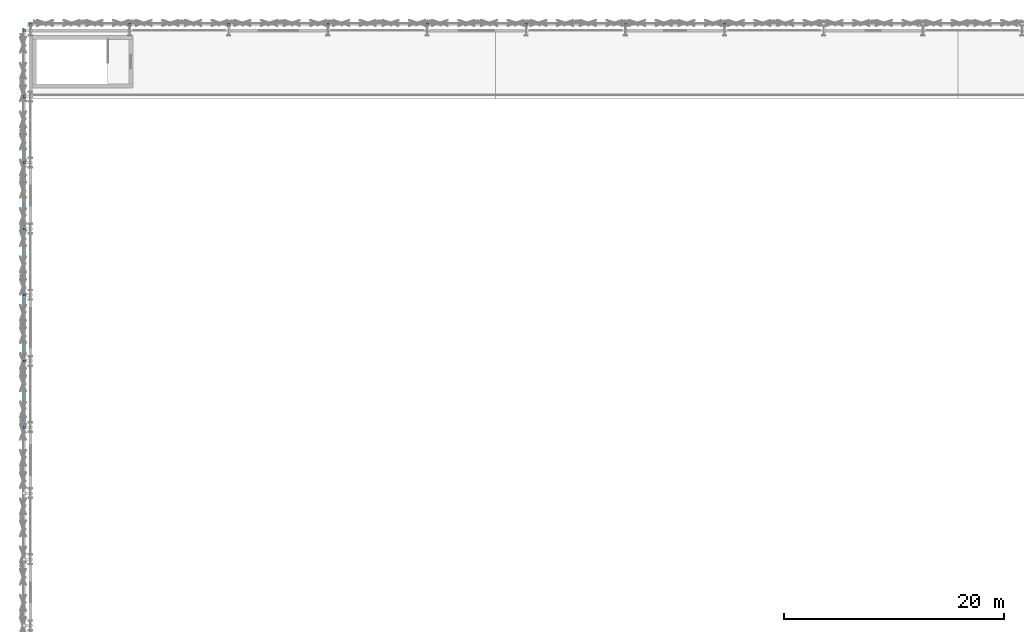
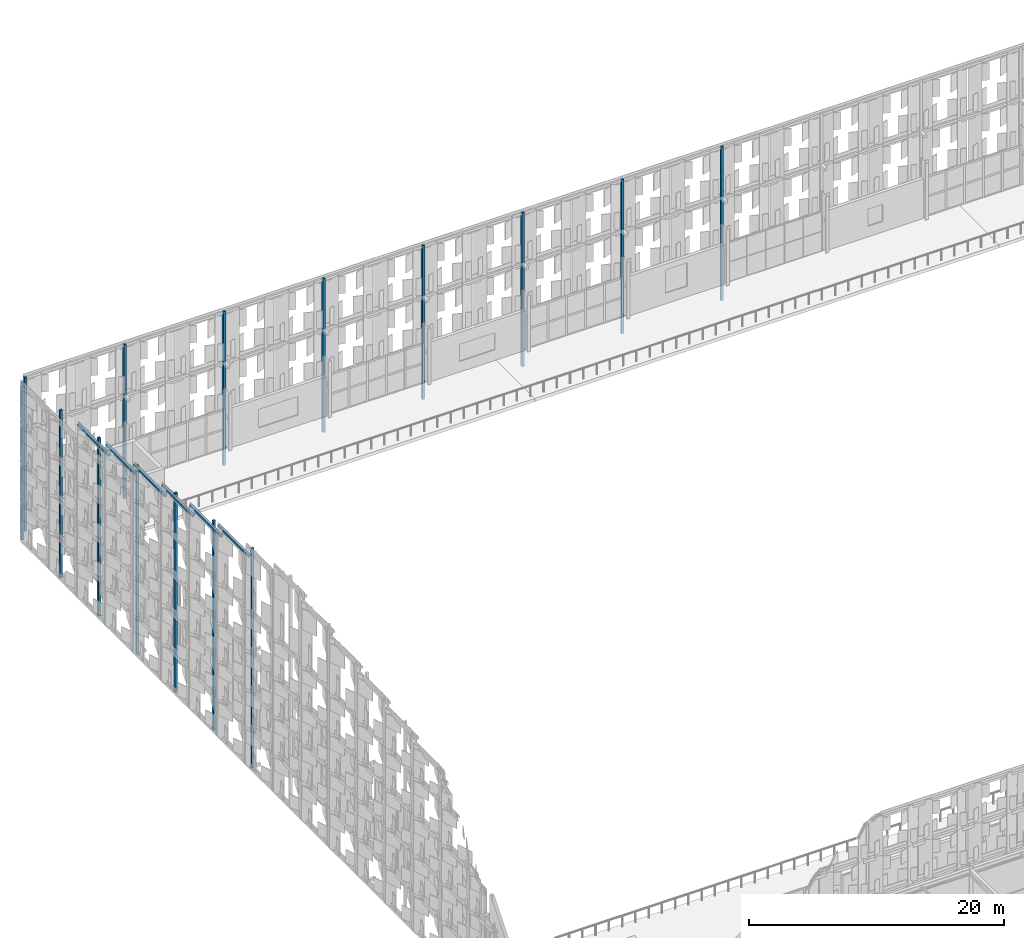
# One storey, part 170 of 210: 21 discrete accessories.
"""IFC4 building model written with IfcOpenShell, lengths in metres."""

import ifcopenshell
import ifcopenshell.guid

model = None  # the IFC model being written
_history = None  # IfcOwnerHistory: only IFC2X3 demands one
_inside = {}  # id of a spatial element -> (the spatial element, [elements in it])
_under = {}  # id of a project, library or spatial element -> (it, [spatial elements below it])
_declared = {}  # id of a project -> (the project, [libraries it declares])
_typed = {}  # id of a type object -> (the type object, [elements of that type])
_made_of = {}  # id of a material, layer set ... -> (it, [elements and type objects made of it])


def new_model(schema):
    """Start an empty IFC model of exactly this schema.

    Asked for "IFC4X3", IfcOpenShell would pick the latest addendum, in which some entities
    have other attributes; the version numbers below select the first issue.
    IFC2X3 requires an IfcOwnerHistory on every rooted entity: one is made here for all.
    """
    global model, _history
    if schema == "IFC4X3":
        model = ifcopenshell.file(schema_version=(4, 3, 0, 0))
    else:
        model = ifcopenshell.file(schema=schema)
    _inside.clear()
    _under.clear()
    _declared.clear()
    _typed.clear()
    _made_of.clear()
    _history = None
    if model.schema == "IFC2X3":
        org = make("IfcOrganization", Name="unknown")
        user = make(
            "IfcPersonAndOrganization",
            ThePerson=make("IfcPerson", FamilyName="unknown"),
            TheOrganization=org,
        )
        app = make(
            "IfcApplication",
            ApplicationDeveloper=org,
            Version="unknown",
            ApplicationFullName="unknown",
            ApplicationIdentifier="unknown",
        )
        _history = make(
            "IfcOwnerHistory",
            OwningUser=user,
            OwningApplication=app,
            ChangeAction="ADDED",
            CreationDate=0,
        )
    return model


def make(cls, **values):
    """One entity of the class cls with the attributes given. An attribute that is None is left unset."""
    return model.create_entity(
        cls, **{name: value for name, value in values.items() if value is not None}
    )


def rooted(cls, **values):
    """An entity with a GlobalId (a new one), such as an element, a storey or a relation."""
    return make(cls, GlobalId=ifcopenshell.guid.new(), OwnerHistory=_history, **values)


def si_unit(unit_type, name, prefix=None):
    """IfcSIUnit, for example si_unit("LENGTHUNIT", "METRE", prefix="MILLI")."""
    return make("IfcSIUnit", UnitType=unit_type, Prefix=prefix, Name=name)


def assignment(units):
    """IfcUnitAssignment: the units of a project."""
    return None if units is None else make("IfcUnitAssignment", Units=units)


def point(xyz):
    """IfcCartesianPoint."""
    return None if xyz is None else make("IfcCartesianPoint", Coordinates=xyz)


def direction(xyz):
    """IfcDirection."""
    return None if xyz is None else make("IfcDirection", DirectionRatios=xyz)


def frame(location, z_axis=None, x_axis=None):
    """IfcAxis2Placement3D, a coordinate frame: its origin and axes. An axis left out is left unset."""
    return make(
        "IfcAxis2Placement3D",
        Location=point(location),
        Axis=direction(z_axis),
        RefDirection=direction(x_axis),
    )


def frame_2d(location, x_axis=None):
    """IfcAxis2Placement2D, a coordinate frame in the plane: its origin and x axis."""
    return make(
        "IfcAxis2Placement2D", Location=point(location), RefDirection=direction(x_axis)
    )


def origin():
    """The frame at (0, 0, 0) with its axes left unset."""
    return frame((0.0, 0.0, 0.0))


def origin_2d():
    """The frame at (0, 0) in the plane with its x axis left unset."""
    return frame_2d((0.0, 0.0))


def place(relative_to, where):
    """IfcLocalPlacement: puts the frame where relative to a parent placement (None: the world)."""
    return make(
        "IfcLocalPlacement", PlacementRelTo=relative_to, RelativePlacement=where
    )


def context(
    kind, dimensions, precision=None, world=None, true_north=None, identifier=None
):
    """IfcGeometricRepresentationContext, for example the 3D "Model" context."""
    return make(
        "IfcGeometricRepresentationContext",
        ContextIdentifier=identifier,
        ContextType=kind,
        CoordinateSpaceDimension=dimensions,
        Precision=precision,
        WorldCoordinateSystem=world,
        TrueNorth=true_north,
    )


def subcontext(parent, identifier, kind, view, scale=None):
    """IfcGeometricRepresentationSubContext, for example "Body" below "Model"."""
    return make(
        "IfcGeometricRepresentationSubContext",
        ContextIdentifier=identifier,
        ContextType=kind,
        ParentContext=parent,
        TargetScale=scale,
        TargetView=view,
    )


def project(units=None, contexts=None):
    """IfcProject with its units and contexts."""
    return rooted(
        "IfcProject",
        Name="project",
        RepresentationContexts=contexts,
        UnitsInContext=assignment(units),
    )


def spatial(cls, under=None, at=None, **own):
    """A site, building, storey or space (cls), placed at a placement, below another one or the project."""
    s = rooted(cls, ObjectPlacement=at, **own)
    if under is not None:
        _under.setdefault(under.id(), (under, []))[1].append(s)
    return s


def profile(cls, at=None, kind="AREA", **sizes):
    """A parametric profile (cls). Its sizes go by their IFC names, for example OverallWidth=200.0."""
    return make(cls, ProfileType=kind, Position=at, **sizes)


def rectangle(**sizes):
    """IfcRectangleProfileDef."""
    return profile("IfcRectangleProfileDef", **sizes)


def extrude(swept, where, along, depth):
    """IfcExtrudedAreaSolid: the profile swept, set in the frame where, extruded along a direction by depth."""
    return make(
        "IfcExtrudedAreaSolid",
        SweptArea=swept,
        Position=where,
        ExtrudedDirection=direction(along),
        Depth=depth,
    )


def shape(context_of_items, identifier, shape_type, items):
    """IfcShapeRepresentation: the items that make up one representation, for example the "Body"."""
    return make(
        "IfcShapeRepresentation",
        ContextOfItems=context_of_items,
        RepresentationIdentifier=identifier,
        RepresentationType=shape_type,
        Items=items,
    )


def material(Name=None, Category=None):
    """IfcMaterial."""
    return make("IfcMaterial", Name=Name, Category=Category)


def made_of(thing, what):
    """Note that an element or type object is made of a material, layer set ...; save() writes the relation."""
    if what is not None:
        _made_of.setdefault(what.id(), (what, []))[1].append(thing)
    return thing


def type_object(cls, material=None, **own):
    """A type object (cls), such as IfcWallType, which elements share."""
    return made_of(rooted(cls, **own), material)


def element(
    cls,
    number,
    at=None,
    inside=None,
    cuts=None,
    type_object=None,
    material=None,
    context=None,
    identifier="Body",
    shape_type=None,
    held_by="IfcProductDefinitionShape",
    body=None,
    shapes=None,
    **own,
):
    """One element of the class cls, such as IfcWall. Its Tag is "e" and its number.

    at: its placement. inside: the storey or other place that contains it. cuts: it is an
    opening in that element (IfcRelVoidsElement). A single representation is given by context,
    identifier, shape_type and body (its items); several are given by shapes. held_by: the class
    of the entity that holds the representations. save() writes the other relations.
    """
    e = rooted(cls, Tag="e%d" % number, ObjectPlacement=at, **own)
    if body is not None:
        shapes = [shape(context, identifier, shape_type, body)]
    if shapes is not None:
        e.Representation = make(held_by, Representations=shapes)
    if inside is not None:
        _inside.setdefault(inside.id(), (inside, []))[1].append(e)
    if cuts is not None:
        rooted(
            "IfcRelVoidsElement", RelatingBuildingElement=cuts, RelatedOpeningElement=e
        )
    if type_object is not None:
        _typed.setdefault(type_object.id(), (type_object, []))[1].append(e)
    return made_of(e, material)


def aggregate(whole, parts):
    """IfcRelAggregates: a whole, such as a stair, and the parts it consists of."""
    return rooted("IfcRelAggregates", RelatingObject=whole, RelatedObjects=parts)


def save(model, path):
    """Write the relations noted so far, then the file.

    IfcRelAggregates (storeys below a building ...), IfcRelContainedInSpatialStructure (elements
    in a storey), IfcRelDefinesByType, IfcRelAssociatesMaterial and IfcRelDeclares: one each for
    every whole, place, type object, material and project.
    """
    for whole, parts in _under.values():
        aggregate(whole, parts)
    for where, things in _inside.values():
        rooted(
            "IfcRelContainedInSpatialStructure",
            RelatedElements=things,
            RelatingStructure=where,
        )
    for kind, things in _typed.values():
        rooted("IfcRelDefinesByType", RelatedObjects=things, RelatingType=kind)
    for what, things in _made_of.values():
        rooted("IfcRelAssociatesMaterial", RelatedObjects=things, RelatingMaterial=what)
    for by, libraries in _declared.values():
        rooted("IfcRelDeclares", RelatingContext=by, RelatedDefinitions=libraries)
    model.write(path)


model = new_model("IFC4")

# Units and contexts
model_context = context("Model", 3, precision=1e-05, world=origin(), true_north=direction((0.0, 1.0)))
body_context = subcontext(model_context, "Body", "Model", "MODEL_VIEW")
ifc_project = project(units=[si_unit("LENGTHUNIT", "METRE"), si_unit("AREAUNIT", "SQUARE_METRE"), si_unit("VOLUMEUNIT", "CUBIC_METRE"), si_unit("PLANEANGLEUNIT", "RADIAN"), si_unit("MASSUNIT", "GRAM", prefix="KILO")], contexts=[model_context])

# Site, building, storey
site_placement = place(None, origin())
site = spatial("IfcSite", under=ifc_project, at=site_placement, CompositionType="ELEMENT")
building_placement = place(site_placement, origin())
building = spatial("IfcBuilding", under=site, at=building_placement, Name="Kaldris Quays Convention Centre", CompositionType="ELEMENT")
storey_placement = place(building_placement, frame((0.0, 0.0, 6.0)))
storey = spatial("IfcBuildingStorey", under=building, at=storey_placement, Name="L01", CompositionType="ELEMENT", Elevation=6.0)

# Discrete accessories
ifc_material = material(Name="Steel S355J2", Category="steel")
discrete_accessory_type = type_object("IfcDiscreteAccessoryType", Name="SCREEN OUTRIGGER BRACKET BK01", PredefinedType="BRACKET", material=ifc_material)
discrete_accessory_1_placement = place(storey_placement, frame((19.43994140625, 104.0, -2.27001953125), z_axis=(0.0, 0.0, 1.0), x_axis=(0.0, 1.0, 0.0)))
element("IfcDiscreteAccessory", 1, at=discrete_accessory_1_placement, inside=storey, type_object=discrete_accessory_type, Name="V1W Screen Vertical Carrier Mullion 41", PredefinedType="BRACKET", context=body_context, shape_type="SweptSolid", body=[
    extrude(rectangle(XDim=0.199951171875, YDim=0.219970703125, at=origin_2d()), origin(), (0.0, 0.0, 1.0), 21.0400390625),
])
discrete_accessory_2_placement = place(storey_placement, frame((19.43994140625, 110.0, -2.27001953125), z_axis=(0.0, 0.0, 1.0), x_axis=(0.0, 1.0, 0.0)))
element("IfcDiscreteAccessory", 2, at=discrete_accessory_2_placement, inside=storey, type_object=discrete_accessory_type, Name="V1W Screen Vertical Carrier Mullion 46", PredefinedType="BRACKET", context=body_context, shape_type="SweptSolid", body=[
    extrude(rectangle(XDim=0.199951171875, YDim=0.219970703125, at=origin_2d()), origin(), (0.0, 0.0, 1.0), 20.0400390625),
])
discrete_accessory_3_placement = place(storey_placement, frame((19.43994140625, 116.0, -2.27001953125), z_axis=(0.0, 0.0, 1.0), x_axis=(0.0, 1.0, 0.0)))
element("IfcDiscreteAccessory", 3, at=discrete_accessory_3_placement, inside=storey, type_object=discrete_accessory_type, Name="V1W Screen Vertical Carrier Mullion 51", PredefinedType="BRACKET", context=body_context, shape_type="SweptSolid", body=[
    extrude(rectangle(XDim=0.199951171875, YDim=0.219970703125, at=origin_2d()), origin(), (0.0, 0.0, 1.0), 19.0400390625),
])
discrete_accessory_4_placement = place(storey_placement, frame((19.43994140625, 122.0, -2.27001953125), z_axis=(0.0, 0.0, 1.0), x_axis=(0.0, 1.0, 0.0)))
element("IfcDiscreteAccessory", 4, at=discrete_accessory_4_placement, inside=storey, type_object=discrete_accessory_type, Name="V1W Screen Vertical Carrier Mullion 56", PredefinedType="BRACKET", context=body_context, shape_type="SweptSolid", body=[
    extrude(rectangle(XDim=0.199951171875, YDim=0.219970703125, at=origin_2d()), origin(), (0.0, 0.0, 1.0), 18.0400390625),
])
discrete_accessory_5_placement = place(storey_placement, frame((19.43994140625, 128.0, -2.27001953125), z_axis=(0.0, 0.0, 1.0), x_axis=(0.0, 1.0, 0.0)))
element("IfcDiscreteAccessory", 5, at=discrete_accessory_5_placement, inside=storey, type_object=discrete_accessory_type, Name="V1W Screen Vertical Carrier Mullion 61", PredefinedType="BRACKET", context=body_context, shape_type="SweptSolid", body=[
    extrude(rectangle(XDim=0.199951171875, YDim=0.219970703125, at=origin_2d()), origin(), (0.0, 0.0, 1.0), 17.0400390625),
])
discrete_accessory_6_placement = place(storey_placement, frame((19.43994140625, 134.0, -2.27001953125), z_axis=(0.0, 0.0, 1.0), x_axis=(0.0, 1.0, 0.0)))
element("IfcDiscreteAccessory", 6, at=discrete_accessory_6_placement, inside=storey, type_object=discrete_accessory_type, Name="V1W Screen Vertical Carrier Mullion 66", PredefinedType="BRACKET", context=body_context, shape_type="SweptSolid", body=[
    extrude(rectangle(XDim=0.199951171875, YDim=0.219970703125, at=origin_2d()), origin(), (0.0, 0.0, 1.0), 16.0400390625),
])
discrete_accessory_7_placement = place(storey_placement, frame((19.43994140625, 140.0, -2.27001953125), z_axis=(0.0, 0.0, 1.0), x_axis=(0.0, 1.0, 0.0)))
element("IfcDiscreteAccessory", 7, at=discrete_accessory_7_placement, inside=storey, type_object=discrete_accessory_type, Name="V1W Screen Vertical Carrier Mullion 71", PredefinedType="BRACKET", context=body_context, shape_type="SweptSolid", body=[
    extrude(rectangle(XDim=0.199951171875, YDim=0.219970703125, at=origin_2d()), origin(), (0.0, 0.0, 1.0), 15.0400390625),
])
for number, where, z_axis, x_axis, name in (
    (8, (19.419921875, 106.77880859375, 17.6337890625), (0.0, 0.0, 1.0), (0.0, 1.0, 0.0), "V1W Gable Screen Cap Rail 90"),
    (9, (19.419921875, 111.16845703125, 16.90283203125), (0.0, 0.0, 1.0), (0.0, 1.0, 0.0), "V1W Gable Screen Cap Rail 91"),
    (10, (19.419921875, 115.557861328125, 16.1708984375), (0.0, 0.0, 1.0), (0.0, 1.0, 0.0), "V1W Gable Screen Cap Rail 92"),
    (11, (19.419921875, 119.947509765625, 15.43896484375), (0.0, 0.0, 1.0), (0.0, 1.0, 0.0), "V1W Gable Screen Cap Rail 93"),
    (12, (19.419921875, 124.3369140625, 14.7080078125), (0.0, 0.0, 1.0), (0.0, 1.0, 0.0), "V1W Gable Screen Cap Rail 94"),
    (13, (19.419921875, 128.726318359375, 13.97607421875), (0.0, 0.0, 1.0), (0.0, 1.0, 0.0), "V1W Gable Screen Cap Rail 95"),
):
    element("IfcDiscreteAccessory", number, at=place(storey_placement, frame(where, z_axis=z_axis, x_axis=x_axis)), inside=storey, type_object=discrete_accessory_type, Name=name, PredefinedType="BRACKET", context=body_context, shape_type="SweptSolid", body=[
        extrude(rectangle(XDim=4.839111328125, YDim=0.219970703125, at=origin_2d()), origin(), (0.0, 0.0, 1.0), 0.219970703125),
    ])
for number, where, z_axis, x_axis, name in (
    (14, (20.0, 140.56005859375, -1.97021484375), (0.0, 0.0, 1.0), (1.0, 0.0, 0.0), "V1N Screen Vertical Carrier Mullion 96"),
    (15, (29.0, 140.56005859375, -1.97021484375), (0.0, 0.0, 1.0), (1.0, 0.0, 0.0), "V1N Screen Vertical Carrier Mullion 100"),
    (16, (38.0, 140.56005859375, -1.97021484375), (0.0, 0.0, 1.0), (1.0, 0.0, 0.0), "V1N Screen Vertical Carrier Mullion 104"),
    (17, (47.0, 140.56005859375, -1.97021484375), (0.0, 0.0, 1.0), (1.0, 0.0, 0.0), "V1N Screen Vertical Carrier Mullion 108"),
    (18, (56.0, 140.56005859375, -1.97021484375), (0.0, 0.0, 1.0), (1.0, 0.0, 0.0), "V1N Screen Vertical Carrier Mullion 112"),
    (19, (65.0, 140.56005859375, -1.97021484375), (0.0, 0.0, 1.0), (1.0, 0.0, 0.0), "V1N Screen Vertical Carrier Mullion 116"),
    (20, (74.0, 140.56005859375, -1.97021484375), (0.0, 0.0, 1.0), (1.0, 0.0, 0.0), "V1N Screen Vertical Carrier Mullion 120"),
    (21, (83.0, 140.56005859375, -1.97021484375), (0.0, 0.0, 1.0), (1.0, 0.0, 0.0), "V1N Screen Vertical Carrier Mullion 124"),
):
    element("IfcDiscreteAccessory", number, at=place(storey_placement, frame(where, z_axis=z_axis, x_axis=x_axis)), inside=storey, type_object=discrete_accessory_type, Name=name, PredefinedType="BRACKET", context=body_context, shape_type="SweptSolid", body=[
        extrude(rectangle(XDim=0.199951171875, YDim=0.219970703125, at=origin_2d()), origin(), (0.0, 0.0, 1.0), 14.739990234375),
    ])

save(model, "model.ifc")
